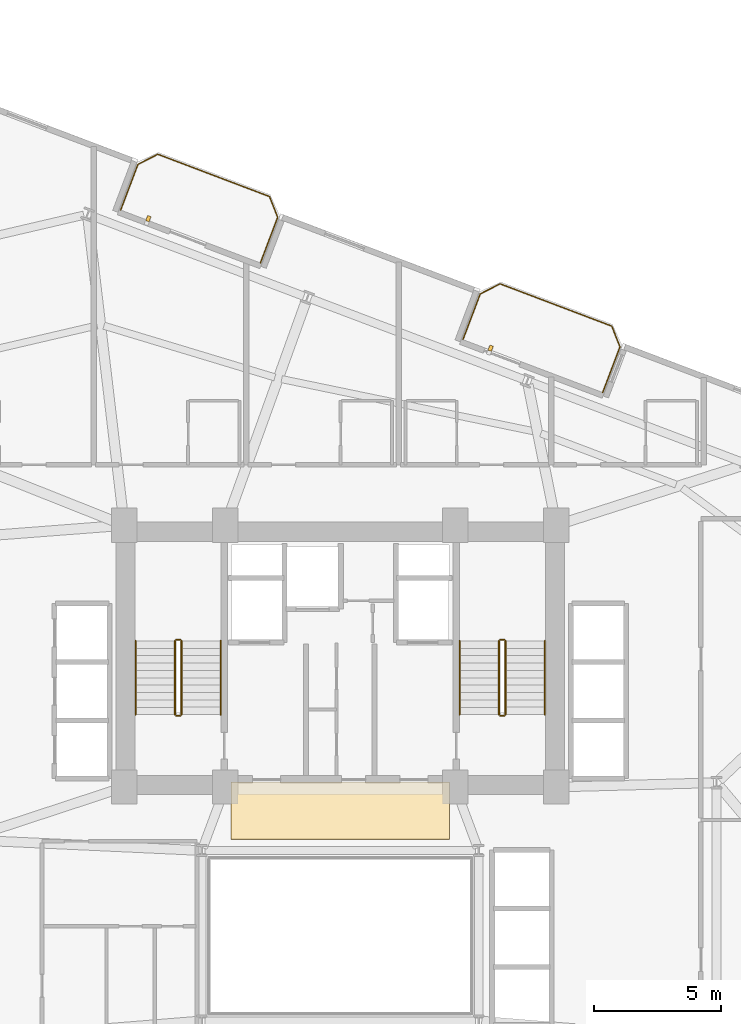
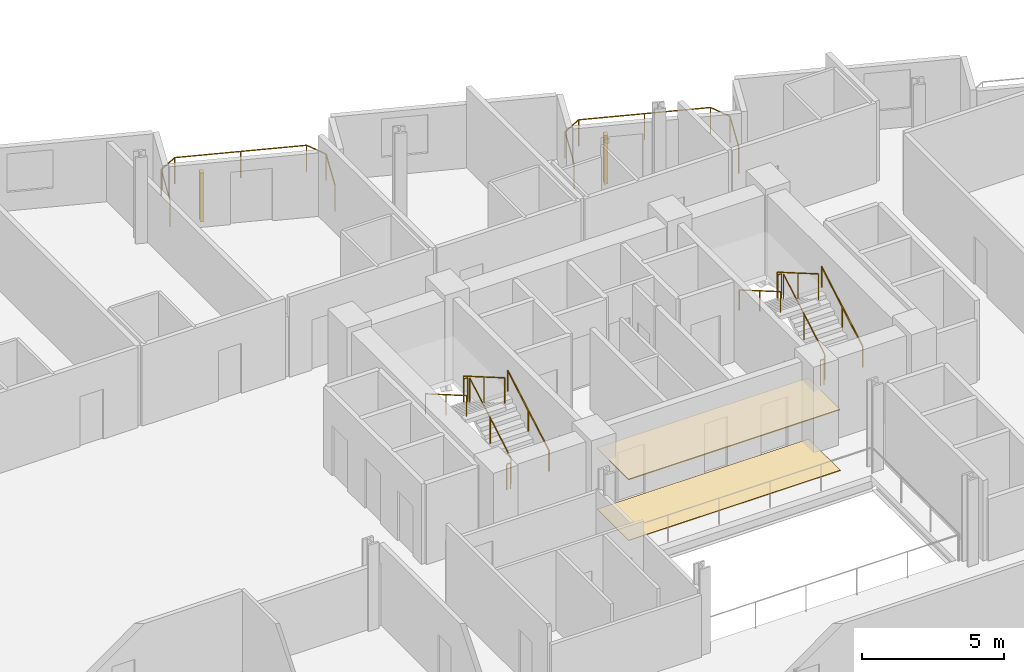
# One storey, part 23 of 24: 14 railings, 2 coverings, 2 shading devices.
"""IFC4 building model written with IfcOpenShell, lengths in metres."""

from ifc_helpers import new_model, si_unit, direction, frame, origin, origin_2d, place, context, subcontext, project, spatial, rectangle, circle, extrude, source, transform, mapped, material, layer, layer_set, type_object, element, save


model = new_model("IFC4")

# Units and contexts
model_context = context("Model", 3, precision=1e-05, world=origin(), true_north=direction((0.0, 1.0)))
body_context = subcontext(model_context, "Body", "Model", "MODEL_VIEW")
ifc_project = project(units=[si_unit("LENGTHUNIT", "METRE"), si_unit("AREAUNIT", "SQUARE_METRE"), si_unit("VOLUMEUNIT", "CUBIC_METRE"), si_unit("PLANEANGLEUNIT", "RADIAN"), si_unit("MASSUNIT", "GRAM", prefix="KILO")], contexts=[model_context])

# Site, building, storey
site_placement = place(None, origin())
site = spatial("IfcSite", under=ifc_project, at=site_placement, CompositionType="ELEMENT")
building_placement = place(site_placement, origin())
building = spatial("IfcBuilding", under=site, at=building_placement, Name="Varnelok Gate Tower", CompositionType="ELEMENT")
storey_placement = place(building_placement, frame((0.0, 0.0, 94.699951171875)))
storey = spatial("IfcBuildingStorey", under=building, at=storey_placement, Name="L23", CompositionType="ELEMENT", Elevation=94.699951171875)

# Railings
ifc_material_1 = material(Name="Low-E Laminated Double Glazing IGU", Category="glass")
railing_type_1 = type_object("IfcRailingType", Name="RL-BALC-1150", PredefinedType="BALUSTRADE", material=ifc_material_1)
railing_1_placement = place(storey_placement, frame((30.560302734375, 51.453125, 0.0)))
element("IfcRailing", 1, at=railing_1_placement, inside=storey, type_object=railing_type_1, Name="L23 North Terrace Balustrade 4", PredefinedType="BALUSTRADE", context=body_context, shape_type="SweptSolid", body=[
    extrude(circle(Radius=0.02392578125, at=origin_2d()), frame((0.0, 0.0, 1.1259765625), z_axis=(0.354006333352, 0.935243025073, 0.0), x_axis=(-0.935243025073, 0.354006333352, 0.0)), (0.0, 0.0, 1.0), 1.919921875),
    extrude(circle(Radius=0.02392578125, at=origin_2d()), frame((0.6796875, 1.795654296875, 1.1259765625), z_axis=(0.89078254773, 0.454429810487, 0.0), x_axis=(-0.454429810487, 0.89078254773, 0.0)), (0.0, 0.0, 1.0), 0.8779296875),
    extrude(circle(Radius=0.02392578125, at=origin_2d()), frame((1.461669921875, 2.194580078125, 1.1259765625), z_axis=(0.935223045203, -0.354059113314, 0.0), x_axis=(0.354059113314, 0.935223045203, 0.0)), (0.0, 0.0, 1.0), 4.699951171875),
    extrude(circle(Radius=0.02392578125, at=origin_2d()), frame((5.857177734375, 0.530517578125, 1.1259765625), z_axis=(0.366349384437, -0.930477365938, 0.0), x_axis=(0.930477365938, 0.366349384437, 0.0)), (0.0, 0.0, 1.0), 0.877685546875),
    extrude(circle(Radius=0.02392578125, at=origin_2d()), frame((6.1787109375, -0.2861328125, 1.1259765625), z_axis=(-0.354006333352, -0.935243025073, 0.0), x_axis=(0.935243025073, -0.354006333352, 0.0)), (0.0, 0.0, 1.0), 1.919921875),
    extrude(circle(Radius=0.02099609375, at=origin_2d()), origin(), (0.0, 0.0, 1.0), 1.101806640625),
    extrude(circle(Radius=0.02099609375, at=origin_2d()), frame((0.6796875, 1.795654296875, 0.0)), (0.0, 0.0, 1.0), 1.101806640625),
    extrude(circle(Radius=0.02099609375, at=origin_2d()), frame((1.461669921875, 2.194580078125, 0.0)), (0.0, 0.0, 1.0), 1.101806640625),
    extrude(circle(Radius=0.02099609375, at=origin_2d()), frame((3.659423828125, 1.362548828125, 0.0)), (0.0, 0.0, 1.0), 1.101806640625),
    extrude(circle(Radius=0.02099609375, at=origin_2d()), frame((5.857177734375, 0.530517578125, 0.0)), (0.0, 0.0, 1.0), 1.101806640625),
    extrude(circle(Radius=0.02099609375, at=origin_2d()), frame((6.1787109375, -0.2861328125, 0.0)), (0.0, 0.0, 1.0), 1.101806640625),
    extrude(circle(Radius=0.02099609375, at=origin_2d()), frame((5.4990234375, -2.081787109375, 0.0)), (0.0, 0.0, 1.0), 1.101806640625),
])
railing_2_placement = place(storey_placement, frame((44.02734375, 46.354736328125, 0.0)))
element("IfcRailing", 2, at=railing_2_placement, inside=storey, type_object=railing_type_1, Name="L23 North Terrace Balustrade 5", PredefinedType="BALUSTRADE", context=body_context, shape_type="SweptSolid", body=[
    extrude(circle(Radius=0.02392578125, at=origin_2d()), frame((0.0, 0.0, 1.1259765625), z_axis=(0.354117547856, 0.935200920819, 0.0), x_axis=(-0.935200920819, 0.354117547856, 0.0)), (0.0, 0.0, 1.0), 1.920166015625),
    extrude(circle(Radius=0.02392578125, at=origin_2d()), frame((0.679931640625, 1.795654296875, 1.1259765625), z_axis=(0.890725095116, 0.454542412686, 0.0), x_axis=(-0.454542412686, 0.890725095116, 0.0)), (0.0, 0.0, 1.0), 0.877685546875),
    extrude(circle(Radius=0.02392578125, at=origin_2d()), frame((1.461669921875, 2.194580078125, 1.1259765625), z_axis=(0.935223045203, -0.354059113314, 0.0), x_axis=(0.354059113314, 0.935223045203, 0.0)), (0.0, 0.0, 1.0), 4.699951171875),
    extrude(circle(Radius=0.02392578125, at=origin_2d()), frame((5.857177734375, 0.530517578125, 1.1259765625), z_axis=(0.366495340819, -0.93041988648, 0.0), x_axis=(0.93041988648, 0.366495340819, 0.0)), (0.0, 0.0, 1.0), 0.8779296875),
    extrude(circle(Radius=0.02392578125, at=origin_2d()), frame((6.178955078125, -0.286376953125, 1.1259765625), z_axis=(-0.354006333352, -0.935243025073, 0.0), x_axis=(0.935243025073, -0.354006333352, 0.0)), (0.0, 0.0, 1.0), 1.919921875),
    extrude(circle(Radius=0.02099609375, at=origin_2d()), origin(), (0.0, 0.0, 1.0), 1.101806640625),
    extrude(circle(Radius=0.02099609375, at=origin_2d()), frame((0.679931640625, 1.795654296875, 0.0)), (0.0, 0.0, 1.0), 1.101806640625),
    extrude(circle(Radius=0.02099609375, at=origin_2d()), frame((1.461669921875, 2.194580078125, 0.0)), (0.0, 0.0, 1.0), 1.101806640625),
    extrude(circle(Radius=0.02099609375, at=origin_2d()), frame((3.659423828125, 1.362548828125, 0.0)), (0.0, 0.0, 1.0), 1.101806640625),
    extrude(circle(Radius=0.02099609375, at=origin_2d()), frame((5.857177734375, 0.530517578125, 0.0)), (0.0, 0.0, 1.0), 1.101806640625),
    extrude(circle(Radius=0.02099609375, at=origin_2d()), frame((6.178955078125, -0.286376953125, 0.0)), (0.0, 0.0, 1.0), 1.101806640625),
    extrude(circle(Radius=0.02099609375, at=origin_2d()), frame((5.499267578125, -2.08203125, 0.0)), (0.0, 0.0, 1.0), 1.101806640625),
])
ifc_material_2 = material(Name="Brushed Stainless Steel AISI 316", Category="steel")
railing_type_2 = type_object("IfcRailingType", Name="RL-HANDRAIL-900", PredefinedType="HANDRAIL", material=ifc_material_2)
railing_3_placement = place(storey_placement, frame((34.5, 31.60009765625, 0.168212890625)))
element("IfcRailing", 3, at=railing_3_placement, inside=storey, type_object=railing_type_2, Name="L23 ST-1 stair handrail 1", PredefinedType="HANDRAIL", context=body_context, shape_type="SweptSolid", body=[
    extrude(circle(Radius=0.02392578125, at=origin_2d()), frame((0.0, 0.0, 0.8759765625), z_axis=(0.0, 0.865038774852, 0.501705010941), x_axis=(-1.0, 0.0, 0.0)), (0.0, 0.0, 1.0), 3.352294921875),
    extrude(circle(Radius=0.02099609375, at=origin_2d()), origin(), (0.0, 0.0, 1.0), 0.851806640625),
    extrude(circle(Radius=0.02099609375, at=origin_2d()), frame((0.0, 1.449951171875, 0.8408203125)), (0.0, 0.0, 1.0), 0.851806640625),
    extrude(circle(Radius=0.02099609375, at=origin_2d()), frame((0.0, 2.89990234375, 1.681884765625)), (0.0, 0.0, 1.0), 0.851806640625),
])
railing_4_placement = place(storey_placement, frame((31.14990234375, 34.5, 2.018310546875)))
element("IfcRailing", 4, at=railing_4_placement, inside=storey, type_object=railing_type_2, Name="L23 ST-1 stair handrail 2", PredefinedType="HANDRAIL", context=body_context, shape_type="SweptSolid", body=[
    extrude(circle(Radius=0.02392578125, at=origin_2d()), frame((0.0, 0.0, 0.8759765625), z_axis=(0.0, -0.86507038078, 0.501650512107), x_axis=(1.0, 0.0, 0.0)), (0.0, 0.0, 1.0), 3.352294921875),
    extrude(circle(Radius=0.02099609375, at=origin_2d()), origin(), (0.0, 0.0, 1.0), 0.851806640625),
    extrude(circle(Radius=0.02099609375, at=origin_2d()), frame((0.0, -1.449951171875, 0.8408203125)), (0.0, 0.0, 1.0), 0.851806640625),
    extrude(circle(Radius=0.02099609375, at=origin_2d()), frame((0.0, -2.89990234375, 1.681640625)), (0.0, 0.0, 1.0), 0.851806640625),
])
railing_5_placement = place(storey_placement, frame((47.25, 31.60009765625, 0.168212890625)))
element("IfcRailing", 5, at=railing_5_placement, inside=storey, type_object=railing_type_2, Name="L23 ST-2 stair handrail 1", PredefinedType="HANDRAIL", context=body_context, shape_type="SweptSolid", body=[
    extrude(circle(Radius=0.02392578125, at=origin_2d()), frame((0.0, 0.0, 0.8759765625), z_axis=(0.0, 0.865038774852, 0.501705010941), x_axis=(-1.0, 0.0, 0.0)), (0.0, 0.0, 1.0), 3.352294921875),
    extrude(circle(Radius=0.02099609375, at=origin_2d()), origin(), (0.0, 0.0, 1.0), 0.851806640625),
    extrude(circle(Radius=0.02099609375, at=origin_2d()), frame((0.0, 1.449951171875, 0.8408203125)), (0.0, 0.0, 1.0), 0.851806640625),
    extrude(circle(Radius=0.02099609375, at=origin_2d()), frame((0.0, 2.89990234375, 1.681884765625)), (0.0, 0.0, 1.0), 0.851806640625),
])
railing_6_placement = place(storey_placement, frame((43.89990234375, 34.5, 2.018310546875)))
element("IfcRailing", 6, at=railing_6_placement, inside=storey, type_object=railing_type_2, Name="L23 ST-2 stair handrail 2", PredefinedType="HANDRAIL", context=body_context, shape_type="SweptSolid", body=[
    extrude(circle(Radius=0.02392578125, at=origin_2d()), frame((0.0, 0.0, 0.8759765625), z_axis=(0.0, -0.86507038078, 0.501650512107), x_axis=(1.0, 0.0, 0.0)), (0.0, 0.0, 1.0), 3.352294921875),
    extrude(circle(Radius=0.02099609375, at=origin_2d()), origin(), (0.0, 0.0, 1.0), 0.851806640625),
    extrude(circle(Radius=0.02099609375, at=origin_2d()), frame((0.0, -1.449951171875, 0.8408203125)), (0.0, 0.0, 1.0), 0.851806640625),
    extrude(circle(Radius=0.02099609375, at=origin_2d()), frame((0.0, -2.89990234375, 1.681640625)), (0.0, 0.0, 1.0), 0.851806640625),
])
ifc_material_3 = material(Name="Galvanized Steel Grade S350GD", Category="steel")
railing_type_3 = type_object("IfcRailingType", Name="RL-STAIR-GUARD1120", PredefinedType="GUARDRAIL", material=ifc_material_3)
railing_7_placement = place(storey_placement, frame((32.949951171875, 31.60009765625, 0.168212890625)))
element("IfcRailing", 7, at=railing_7_placement, inside=storey, type_object=railing_type_3, Name="L23 ST-1 stair guard 1", PredefinedType="GUARDRAIL", context=body_context, shape_type="SweptSolid", body=[
    extrude(circle(Radius=0.02392578125, at=origin_2d()), frame((0.0, 0.0, 1.09619140625), z_axis=(0.0, 0.865038774852, 0.501705010941), x_axis=(-1.0, 0.0, 0.0)), (0.0, 0.0, 1.0), 3.352294921875),
    extrude(circle(Radius=0.02099609375, at=origin_2d()), origin(), (0.0, 0.0, 1.0), 1.072021484375),
    extrude(circle(Radius=0.02099609375, at=origin_2d()), frame((0.0, 1.449951171875, 0.8408203125)), (0.0, 0.0, 1.0), 1.072021484375),
    extrude(circle(Radius=0.02099609375, at=origin_2d()), frame((0.0, 2.89990234375, 1.681884765625)), (0.0, 0.0, 1.0), 1.072021484375),
])
railing_8_placement = place(storey_placement, frame((32.89990234375, 34.550048828125, 1.85009765625)))
element("IfcRailing", 8, at=railing_8_placement, inside=storey, type_object=railing_type_3, Name="L23 ST-1 stair guard 2", PredefinedType="GUARDRAIL", context=body_context, shape_type="SweptSolid", body=[
    extrude(circle(Radius=0.02392578125, at=origin_2d()), frame((0.0, 0.0, 1.09619140625), z_axis=(-1.0, 0.0, 0.0), x_axis=(0.0, -1.0, 0.0)), (0.0, 0.0, 1.0), 0.14990234375),
    extrude(circle(Radius=0.02099609375, at=origin_2d()), origin(), (0.0, 0.0, 1.0), 1.072021484375),
    extrude(circle(Radius=0.02099609375, at=origin_2d()), frame((-0.14990234375, 0.0, 0.0)), (0.0, 0.0, 1.0), 1.072021484375),
])
railing_9_placement = place(storey_placement, frame((32.699951171875, 34.5, 2.018310546875)))
element("IfcRailing", 9, at=railing_9_placement, inside=storey, type_object=railing_type_3, Name="L23 ST-1 stair guard 3", PredefinedType="GUARDRAIL", context=body_context, shape_type="SweptSolid", body=[
    extrude(circle(Radius=0.02392578125, at=origin_2d()), frame((0.0, 0.0, 1.09619140625), z_axis=(0.0, -0.86507038078, 0.501650512107), x_axis=(1.0, 0.0, 0.0)), (0.0, 0.0, 1.0), 3.352294921875),
    extrude(circle(Radius=0.02099609375, at=origin_2d()), origin(), (0.0, 0.0, 1.0), 1.072021484375),
    extrude(circle(Radius=0.02099609375, at=origin_2d()), frame((0.0, -1.449951171875, 0.8408203125)), (0.0, 0.0, 1.0), 1.072021484375),
    extrude(circle(Radius=0.02099609375, at=origin_2d()), frame((0.0, -2.89990234375, 1.681640625)), (0.0, 0.0, 1.0), 1.072021484375),
])
railing_10_placement = place(storey_placement, frame((32.89990234375, 31.550048828125, 0.0)))
element("IfcRailing", 10, at=railing_10_placement, inside=storey, type_object=railing_type_3, Name="L23 ST-1 stair guard 4", PredefinedType="GUARDRAIL", context=body_context, shape_type="SweptSolid", body=[
    extrude(circle(Radius=0.02392578125, at=origin_2d()), frame((0.0, 0.0, 1.09619140625), z_axis=(-1.0, 0.0, 0.0), x_axis=(0.0, -1.0, 0.0)), (0.0, 0.0, 1.0), 0.14990234375),
    extrude(circle(Radius=0.02099609375, at=origin_2d()), origin(), (0.0, 0.0, 1.0), 1.072021484375),
    extrude(circle(Radius=0.02099609375, at=origin_2d()), frame((-0.14990234375, 0.0, 0.0)), (0.0, 0.0, 1.0), 1.072021484375),
])
railing_11_placement = place(storey_placement, frame((45.699951171875, 31.60009765625, 0.168212890625)))
element("IfcRailing", 11, at=railing_11_placement, inside=storey, type_object=railing_type_3, Name="L23 ST-2 stair guard 1", PredefinedType="GUARDRAIL", context=body_context, shape_type="SweptSolid", body=[
    extrude(circle(Radius=0.02392578125, at=origin_2d()), frame((0.0, 0.0, 1.09619140625), z_axis=(0.0, 0.865038774852, 0.501705010941), x_axis=(-1.0, 0.0, 0.0)), (0.0, 0.0, 1.0), 3.352294921875),
    extrude(circle(Radius=0.02099609375, at=origin_2d()), origin(), (0.0, 0.0, 1.0), 1.072021484375),
    extrude(circle(Radius=0.02099609375, at=origin_2d()), frame((0.0, 1.449951171875, 0.8408203125)), (0.0, 0.0, 1.0), 1.072021484375),
    extrude(circle(Radius=0.02099609375, at=origin_2d()), frame((0.0, 2.89990234375, 1.681884765625)), (0.0, 0.0, 1.0), 1.072021484375),
])
railing_12_placement = place(storey_placement, frame((45.64990234375, 34.550048828125, 1.85009765625)))
element("IfcRailing", 12, at=railing_12_placement, inside=storey, type_object=railing_type_3, Name="L23 ST-2 stair guard 2", PredefinedType="GUARDRAIL", context=body_context, shape_type="SweptSolid", body=[
    extrude(circle(Radius=0.02392578125, at=origin_2d()), frame((0.0, 0.0, 1.09619140625), z_axis=(-1.0, 0.0, 0.0), x_axis=(0.0, -1.0, 0.0)), (0.0, 0.0, 1.0), 0.14990234375),
    extrude(circle(Radius=0.02099609375, at=origin_2d()), origin(), (0.0, 0.0, 1.0), 1.072021484375),
    extrude(circle(Radius=0.02099609375, at=origin_2d()), frame((-0.14990234375, 0.0, 0.0)), (0.0, 0.0, 1.0), 1.072021484375),
])
railing_13_placement = place(storey_placement, frame((45.449951171875, 34.5, 2.018310546875)))
element("IfcRailing", 13, at=railing_13_placement, inside=storey, type_object=railing_type_3, Name="L23 ST-2 stair guard 3", PredefinedType="GUARDRAIL", context=body_context, shape_type="SweptSolid", body=[
    extrude(circle(Radius=0.02392578125, at=origin_2d()), frame((0.0, 0.0, 1.09619140625), z_axis=(0.0, -0.86507038078, 0.501650512107), x_axis=(1.0, 0.0, 0.0)), (0.0, 0.0, 1.0), 3.352294921875),
    extrude(circle(Radius=0.02099609375, at=origin_2d()), origin(), (0.0, 0.0, 1.0), 1.072021484375),
    extrude(circle(Radius=0.02099609375, at=origin_2d()), frame((0.0, -1.449951171875, 0.8408203125)), (0.0, 0.0, 1.0), 1.072021484375),
    extrude(circle(Radius=0.02099609375, at=origin_2d()), frame((0.0, -2.89990234375, 1.681640625)), (0.0, 0.0, 1.0), 1.072021484375),
])
railing_14_placement = place(storey_placement, frame((45.64990234375, 31.550048828125, 0.0)))
element("IfcRailing", 14, at=railing_14_placement, inside=storey, type_object=railing_type_3, Name="L23 ST-2 stair guard 4", PredefinedType="GUARDRAIL", context=body_context, shape_type="SweptSolid", body=[
    extrude(circle(Radius=0.02392578125, at=origin_2d()), frame((0.0, 0.0, 1.09619140625), z_axis=(-1.0, 0.0, 0.0), x_axis=(0.0, -1.0, 0.0)), (0.0, 0.0, 1.0), 0.14990234375),
    extrude(circle(Radius=0.02099609375, at=origin_2d()), origin(), (0.0, 0.0, 1.0), 1.072021484375),
    extrude(circle(Radius=0.02099609375, at=origin_2d()), frame((-0.14990234375, 0.0, 0.0)), (0.0, 0.0, 1.0), 1.072021484375),
])

# Shading devices
ifc_material_4 = material(Name="Glazed Architectural Terracotta Ceramic", Category="masonry")
shading_device_type = type_object("IfcShadingDeviceType", Name="SHD-TERRA-FIN", PredefinedType="USERDEFINED", material=ifc_material_4)
shared_shape_1 = source(origin(), body_context, "Body", "SweptSolid", [
    extrude(rectangle(XDim=0.139892578125, YDim=0.219970703125, at=origin_2d()), origin(), (0.0, 0.0, 1.0), 2.10009765625),
])
for number, where, z_axis, x_axis, name in (
    (15, (31.651123046875, 51.114990234375, 0.10009765625), (0.0, 0.0, 1.0), (0.935221751401, -0.354062530786, 0.0), "L23 Terracotta Ceramic Baguette Sunscreen 4.1"),
    (16, (45.118408203125, 46.0166015625, 0.10009765625), (0.0, 0.0, 1.0), (0.935221751401, -0.354062530786, 0.0), "L23 Terracotta Ceramic Baguette Sunscreen 5.1"),
):
    element("IfcShadingDevice", number, at=place(storey_placement, frame(where, z_axis=z_axis, x_axis=x_axis)), inside=storey, type_object=shading_device_type, Name=name, ObjectType="BAGUETTE", PredefinedType="USERDEFINED", context=body_context, shape_type="MappedRepresentation", body=[
        mapped(shared_shape_1, transform((0.0, 0.0, 0.0), scale=1.0)),
    ])

# Coverings
ifc_material_5 = material(Name="Honed Travertine Stone Flooring", Category="masonry")
ifc_layer_1 = layer(ifc_material_5, 0.02490234375)
ifc_layer_set_1 = layer_set([ifc_layer_1], Name="Honed Travertine Stone Flooring")
covering_type_1 = type_object("IfcCoveringType", Name="COV-FLOR-STONE", PredefinedType="FLOORING", material=ifc_layer_set_1)
shared_shape_2 = source(origin(), body_context, "Body", "SweptSolid", [
    extrude(rectangle(XDim=8.60009765625, YDim=2.219970703125, at=origin_2d()), origin(), (0.0, 0.0, 1.0), 0.02490234375),
])
covering_1_placement = place(storey_placement, frame((39.199951171875, 27.800048828125, 0.0), z_axis=(0.0, 0.0, 1.0), x_axis=(1.0, 0.0, 0.0)))
element("IfcCovering", 17, at=covering_1_placement, inside=storey, type_object=covering_type_1, Name="L23 Core Gallery Stone Flooring", PredefinedType="FLOORING", context=body_context, shape_type="MappedRepresentation", body=[
    mapped(shared_shape_2, transform((0.0, 0.0, 0.0), scale=1.0)),
])
ifc_material_6 = material(Name="Mineral Fiber Acoustic Ceiling Tile")
ifc_layer_2 = layer(ifc_material_6, 0.0400390625)
ifc_layer_set_2 = layer_set([ifc_layer_2], Name="Mineral Fiber Acoustic Ceiling Tile")
covering_type_2 = type_object("IfcCoveringType", Name="COV-CEIL-ACOUST", PredefinedType="CEILING", material=ifc_layer_set_2)
shared_shape_3 = source(origin(), body_context, "Body", "SweptSolid", [
    extrude(rectangle(XDim=8.60009765625, YDim=2.239990234375, at=origin_2d()), origin(), (0.0, 0.0, 1.0), 0.0400390625),
])
covering_2_placement = place(storey_placement, frame((39.199951171875, 27.820068359375, 2.60009765625), z_axis=(0.0, 0.0, 1.0), x_axis=(1.0, 0.0, 0.0)))
element("IfcCovering", 18, at=covering_2_placement, inside=storey, type_object=covering_type_2, Name="L23 Core Gallery Acoustic Ceiling", PredefinedType="CEILING", context=body_context, shape_type="MappedRepresentation", body=[
    mapped(shared_shape_3, transform((0.0, 0.0, 0.0), scale=1.0)),
])

save(model, "model.ifc")
